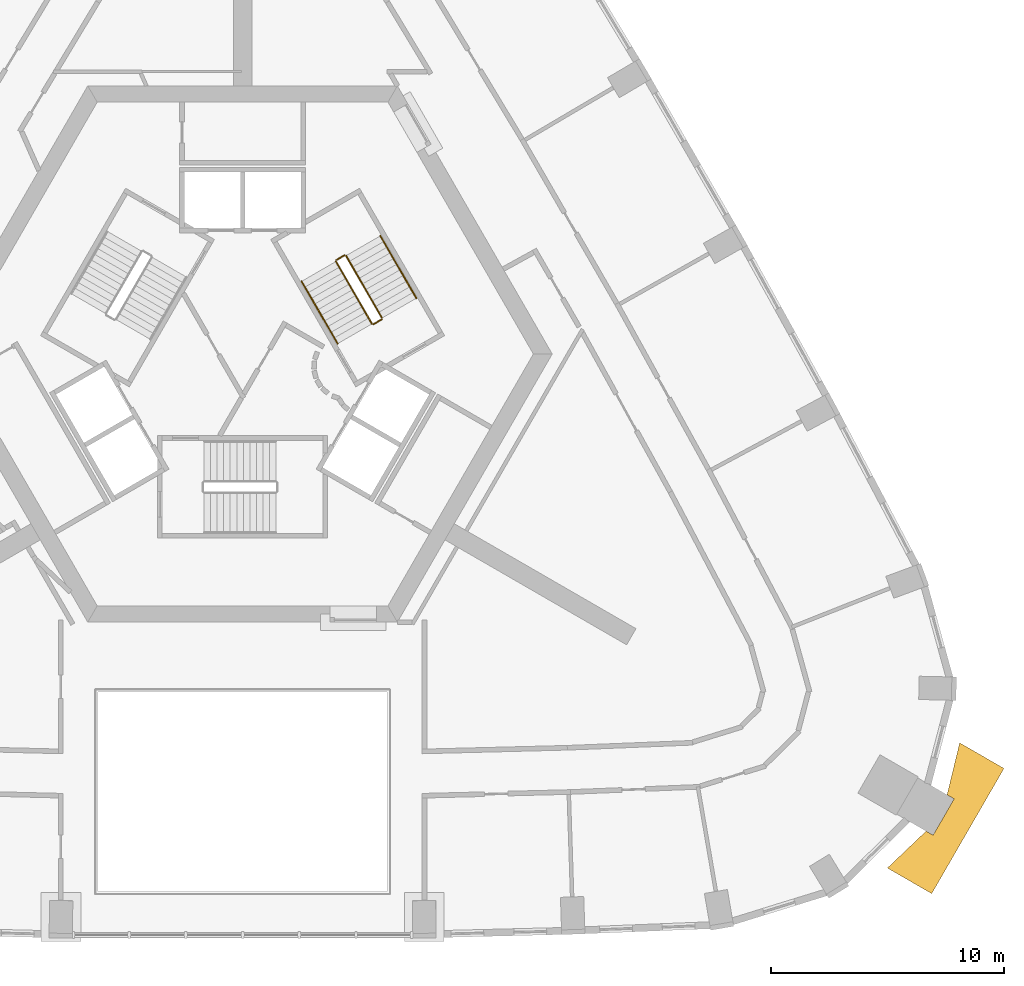
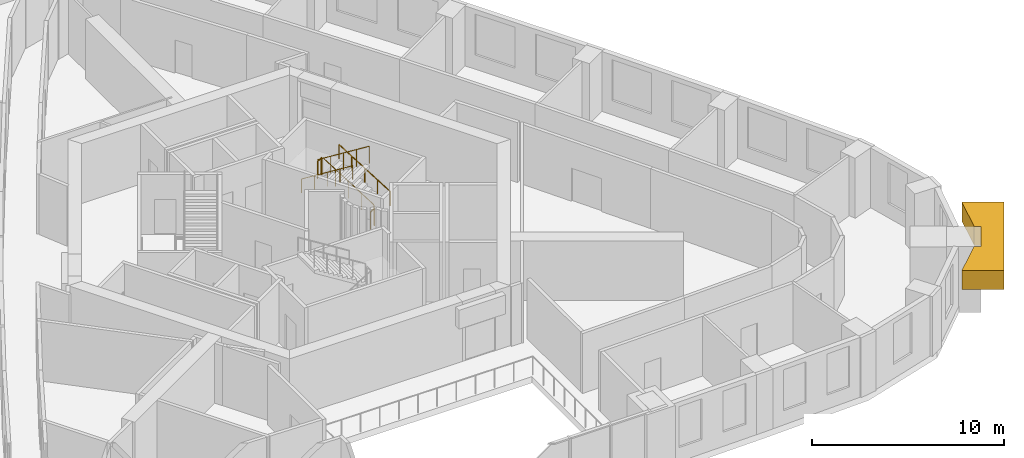
# One storey, part 12 of 13: 6 railings, 1 covering.
"""IFC4 building model written with IfcOpenShell, lengths in metres."""

from ifc_helpers import new_model, si_unit, direction, frame, origin, origin_2d, place, context, subcontext, project, spatial, polyline, circle, outline, extrude, material, type_object, element, save


model = new_model("IFC4")

# Units and contexts
model_context = context("Model", 3, precision=1e-05, world=origin(), true_north=direction((0.0, 1.0)))
body_context = subcontext(model_context, "Body", "Model", "MODEL_VIEW")
ifc_project = project(units=[si_unit("LENGTHUNIT", "METRE"), si_unit("AREAUNIT", "SQUARE_METRE"), si_unit("VOLUMEUNIT", "CUBIC_METRE"), si_unit("PLANEANGLEUNIT", "RADIAN"), si_unit("MASSUNIT", "GRAM", prefix="KILO")], contexts=[model_context])

# Site, building, storey
site_placement = place(None, origin())
site = spatial("IfcSite", under=ifc_project, at=site_placement, CompositionType="ELEMENT")
building_placement = place(site_placement, origin())
building = spatial("IfcBuilding", under=site, at=building_placement, Name="Entoto Arch Interchange Tower", CompositionType="ELEMENT")
storey_placement = place(building_placement, frame((0.0, 0.0, 210.800048828125)))
storey = spatial("IfcBuildingStorey", under=building, at=storey_placement, Name="L47", CompositionType="ELEMENT", Elevation=210.800048828125)

# Covering
ifc_material_1 = material(Name="Board-marked precast concrete C50/60", Category="concrete")
covering_type = type_object("IfcCoveringType", Name="PRECAST FRAME COURSE", PredefinedType="CLADDING", material=ifc_material_1)
covering_placement = place(storey_placement, frame((0.0, 0.0, 2.599853515625)))
element("IfcCovering", 1, at=covering_placement, inside=storey, type_object=covering_type, Name="Corner pilaster head SE L45-L47", PredefinedType="CLADDING", context=body_context, shape_type="SweptSolid", body=[
    extrude(outline(polyline([(32.654052734375, -15.27294921875), (29.553955078125, -20.64306640625), (27.653076171875, -19.544921875), (29.31298828125, -17.962890625), (29.614013671875, -18.136962890625), (30.513916015625, -16.5791015625), (30.212890625, -16.405029296875), (30.7529296875, -14.176025390625), (32.654052734375, -15.27294921875)])), origin(), (0.0, 0.0, 1.0), 1.2001953125),
])

# Railings
ifc_material_2 = material(Name="Stainless steel 1.4301", Category="steel")
railing_type_1 = type_object("IfcRailingType", Name="STAIR GUARD 1100 STEEL", PredefinedType="GUARDRAIL", material=ifc_material_2)
railing_1_placement = place(storey_placement, frame((5.977783203125, 4.046142578125, 0.175048828125)))
element("IfcRailing", 2, at=railing_1_placement, inside=storey, type_object=railing_type_1, Name="L47 ST-NE stair guard 1", PredefinedType="GUARDRAIL", context=body_context, shape_type="SweptSolid", body=[
    extrude(circle(Radius=0.02392578125, at=origin_2d()), frame((0.0, 0.0, 1.076171875), z_axis=(-0.42403051051, 0.734390191396, 0.529970917068), x_axis=(-0.866010015463, -0.500026652407, 0.0)), (0.0, 0.0, 1.0), 3.6318359375),
    extrude(circle(Radius=0.02099609375, at=origin_2d()), origin(), (0.0, 0.0, 1.0), 1.052001953125),
    extrude(circle(Radius=0.02099609375, at=origin_2d()), frame((-0.385009765625, 0.666748046875, 0.481201171875)), (0.0, 0.0, 1.0), 1.052001953125),
    extrude(circle(Radius=0.02099609375, at=origin_2d()), frame((-0.77001953125, 1.33349609375, 0.96240234375)), (0.0, 0.0, 1.0), 1.052001953125),
    extrude(circle(Radius=0.02099609375, at=origin_2d()), frame((-1.155029296875, 2.00048828125, 1.443603515625)), (0.0, 0.0, 1.0), 1.052001953125),
    extrude(circle(Radius=0.02099609375, at=origin_2d()), frame((-1.5400390625, 2.667236328125, 1.9248046875)), (0.0, 0.0, 1.0), 1.052001953125),
])
railing_2_placement = place(storey_placement, frame((4.36962890625, 6.731689453125, 2.099853515625)))
element("IfcRailing", 3, at=railing_2_placement, inside=storey, type_object=railing_type_1, Name="L47 ST-NE stair guard 2", PredefinedType="GUARDRAIL", context=body_context, shape_type="SweptSolid", body=[
    extrude(circle(Radius=0.02392578125, at=origin_2d()), frame((0.0, 0.0, 1.076171875), z_axis=(-0.866094119867, -0.499880961361, 0.0), x_axis=(0.499880961361, -0.866094119867, 0.0)), (0.0, 0.0, 1.0), 0.39990234375),
    extrude(circle(Radius=0.02099609375, at=origin_2d()), origin(), (0.0, 0.0, 1.0), 1.052001953125),
    extrude(circle(Radius=0.02099609375, at=origin_2d()), frame((-0.346435546875, -0.199951171875, 0.0)), (0.0, 0.0, 1.0), 1.052001953125),
])
railing_3_placement = place(storey_placement, frame((4.0048828125, 6.46337890625, 2.27490234375)))
element("IfcRailing", 4, at=railing_3_placement, inside=storey, type_object=railing_type_1, Name="L47 ST-NE stair guard 3", PredefinedType="GUARDRAIL", context=body_context, shape_type="SweptSolid", body=[
    extrude(circle(Radius=0.02392578125, at=origin_2d()), frame((0.0, 0.0, 1.076171875), z_axis=(0.424015404183, -0.734364028329, 0.530019255228), x_axis=(0.866010015463, 0.500026652407, 0.0)), (0.0, 0.0, 1.0), 3.632080078125),
    extrude(circle(Radius=0.02099609375, at=origin_2d()), origin(), (0.0, 0.0, 1.0), 1.052001953125),
    extrude(circle(Radius=0.02099609375, at=origin_2d()), frame((0.385009765625, -0.666748046875, 0.481201171875)), (0.0, 0.0, 1.0), 1.052001953125),
    extrude(circle(Radius=0.02099609375, at=origin_2d()), frame((0.77001953125, -1.33349609375, 0.96240234375)), (0.0, 0.0, 1.0), 1.052001953125),
    extrude(circle(Radius=0.02099609375, at=origin_2d()), frame((1.155029296875, -2.00048828125, 1.44384765625)), (0.0, 0.0, 1.0), 1.052001953125),
    extrude(circle(Radius=0.02099609375, at=origin_2d()), frame((1.5400390625, -2.667236328125, 1.925048828125)), (0.0, 0.0, 1.0), 1.052001953125),
])
railing_4_placement = place(storey_placement, frame((5.95947265625, 3.977783203125, 0.0)))
element("IfcRailing", 5, at=railing_4_placement, inside=storey, type_object=railing_type_1, Name="L47 ST-NE stair guard 4", PredefinedType="GUARDRAIL", context=body_context, shape_type="SweptSolid", body=[
    extrude(circle(Radius=0.02392578125, at=origin_2d()), frame((0.0, 0.0, 1.076171875), z_axis=(-0.866094119867, -0.499880961361, 0.0), x_axis=(0.499880961361, -0.866094119867, 0.0)), (0.0, 0.0, 1.0), 0.39990234375),
    extrude(circle(Radius=0.02099609375, at=origin_2d()), origin(), (0.0, 0.0, 1.0), 1.052001953125),
    extrude(circle(Radius=0.02099609375, at=origin_2d()), frame((-0.346435546875, -0.199951171875, 0.0)), (0.0, 0.0, 1.0), 1.052001953125),
])
railing_type_2 = type_object("IfcRailingType", Name="STAIR HANDRAIL 900 STEEL", PredefinedType="HANDRAIL", material=ifc_material_2)
railing_5_placement = place(storey_placement, frame((7.4501953125, 4.89599609375, 0.175048828125)))
element("IfcRailing", 6, at=railing_5_placement, inside=storey, type_object=railing_type_2, Name="L47 ST-NE stair handrail 1", PredefinedType="HANDRAIL", context=body_context, shape_type="SweptSolid", body=[
    extrude(circle(Radius=0.02392578125, at=origin_2d()), frame((0.0, 0.0, 0.8759765625), z_axis=(-0.424009578203, 0.734421155904, 0.529944755001), x_axis=(-0.866029832698, -0.499992328818, 0.0)), (0.0, 0.0, 1.0), 3.632080078125),
    extrude(circle(Radius=0.02099609375, at=origin_2d()), origin(), (0.0, 0.0, 1.0), 0.851806640625),
    extrude(circle(Radius=0.02099609375, at=origin_2d()), frame((-0.385009765625, 0.6669921875, 0.481201171875)), (0.0, 0.0, 1.0), 0.851806640625),
    extrude(circle(Radius=0.02099609375, at=origin_2d()), frame((-0.77001953125, 1.333740234375, 0.96240234375)), (0.0, 0.0, 1.0), 0.851806640625),
    extrude(circle(Radius=0.02099609375, at=origin_2d()), frame((-1.155029296875, 2.00048828125, 1.443603515625)), (0.0, 0.0, 1.0), 0.851806640625),
    extrude(circle(Radius=0.02099609375, at=origin_2d()), frame((-1.5400390625, 2.66748046875, 1.9248046875)), (0.0, 0.0, 1.0), 0.851806640625),
])
railing_6_placement = place(storey_placement, frame((2.53271484375, 5.613525390625, 2.27490234375)))
element("IfcRailing", 7, at=railing_6_placement, inside=storey, type_object=railing_type_2, Name="L47 ST-NE stair handrail 2", PredefinedType="HANDRAIL", context=body_context, shape_type="SweptSolid", body=[
    extrude(circle(Radius=0.02392578125, at=origin_2d()), frame((0.0, 0.0, 0.8759765625), z_axis=(0.423939339791, -0.734415923031, 0.53000819633), x_axis=(0.866064153644, 0.499932877268, 0.0)), (0.0, 0.0, 1.0), 3.632080078125),
    extrude(circle(Radius=0.02099609375, at=origin_2d()), origin(), (0.0, 0.0, 1.0), 0.851806640625),
    extrude(circle(Radius=0.02099609375, at=origin_2d()), frame((0.385009765625, -0.6669921875, 0.481201171875)), (0.0, 0.0, 1.0), 0.851806640625),
    extrude(circle(Radius=0.02099609375, at=origin_2d()), frame((0.77001953125, -1.333740234375, 0.96240234375)), (0.0, 0.0, 1.0), 0.851806640625),
    extrude(circle(Radius=0.02099609375, at=origin_2d()), frame((1.15478515625, -2.00048828125, 1.44384765625)), (0.0, 0.0, 1.0), 0.851806640625),
    extrude(circle(Radius=0.02099609375, at=origin_2d()), frame((1.539794921875, -2.66748046875, 1.925048828125)), (0.0, 0.0, 1.0), 0.851806640625),
])

save(model, "model.ifc")
